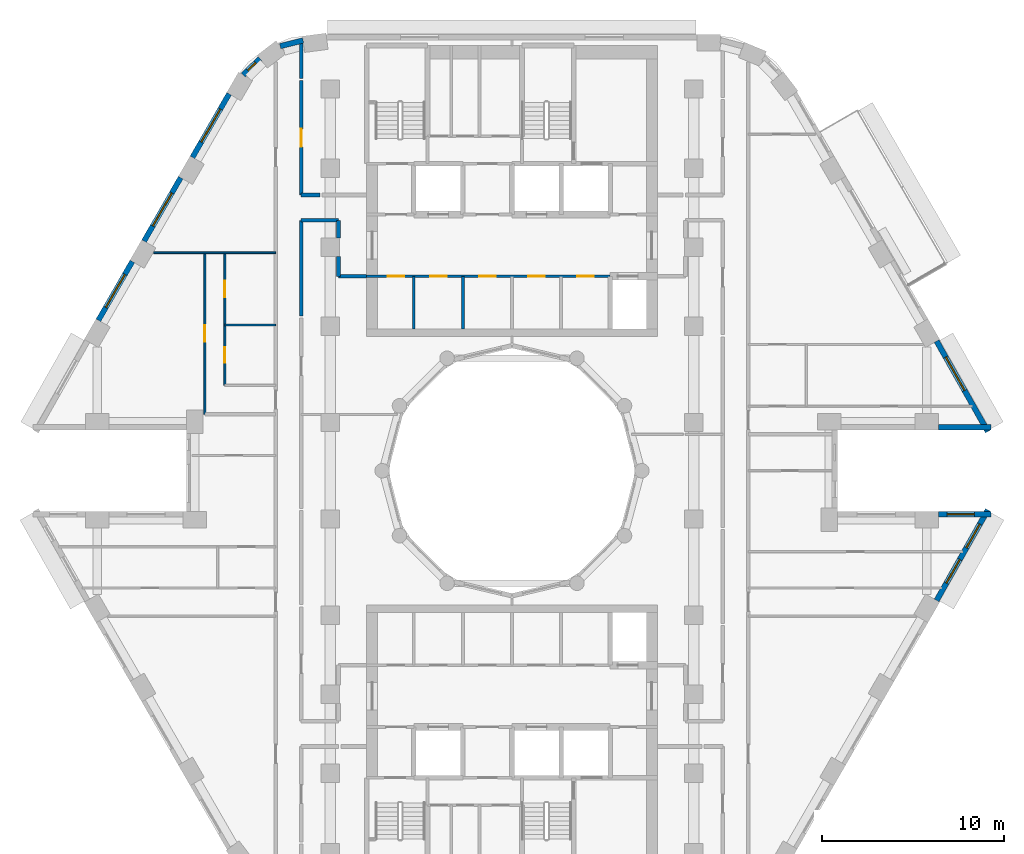
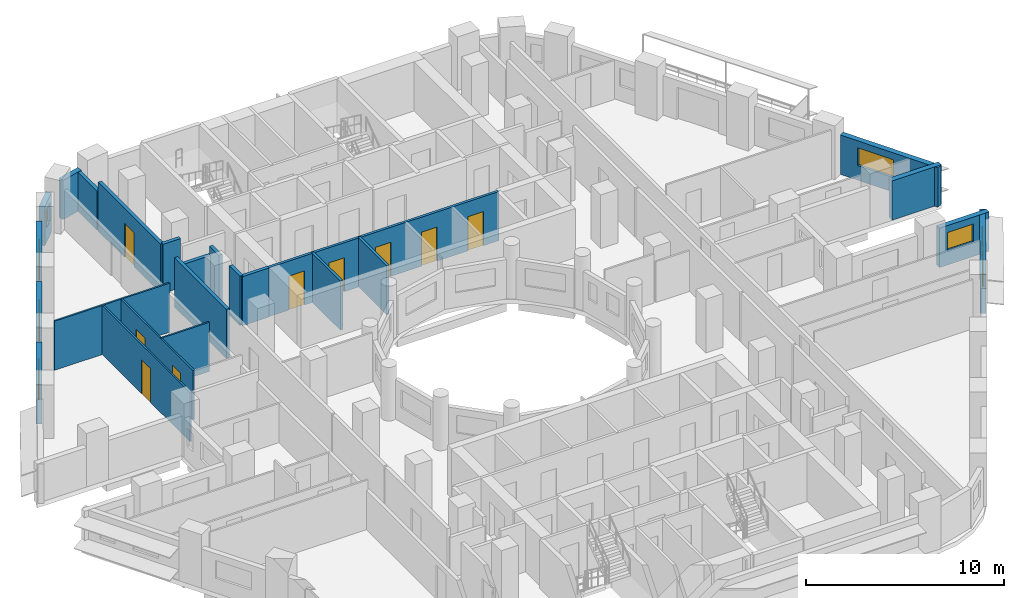
# One storey, part 7 of 14: 24 walls, 9 doors, 8 windows, 17 openings.
"""IFC4 building model written with IfcOpenShell, lengths in metres."""

from ifc_helpers import new_model, si_unit, direction, frame, frame_2d, origin, place, context, subcontext, project, spatial, rectangle, extrude, material, layer, layer_set, type_object, element, fill, save


model = new_model("IFC4")

# Units and contexts
model_context = context("Model", 3, precision=1e-05, world=origin(), true_north=direction((0.0, 1.0)))
body_context = subcontext(model_context, "Body", "Model", "MODEL_VIEW")
ifc_project = project(units=[si_unit("LENGTHUNIT", "METRE"), si_unit("AREAUNIT", "SQUARE_METRE"), si_unit("VOLUMEUNIT", "CUBIC_METRE"), si_unit("PLANEANGLEUNIT", "RADIAN"), si_unit("MASSUNIT", "GRAM", prefix="KILO")], contexts=[model_context])

# Site, building, storey
site_placement = place(None, origin())
site = spatial("IfcSite", under=ifc_project, at=site_placement, CompositionType="ELEMENT")
building_placement = place(site_placement, origin())
building = spatial("IfcBuilding", under=site, at=building_placement, Name="Nakaniwa Court", CompositionType="ELEMENT")
storey_placement = place(building_placement, frame((0.0, 0.0, 160.199951171875)))
storey = spatial("IfcBuildingStorey", under=building, at=storey_placement, Name="L42", CompositionType="ELEMENT", Elevation=160.199951171875)

# Walls
ifc_material_1 = material(Name="Acoustic double stud partition")
ifc_layer_1 = layer(ifc_material_1, 0.199951171875)
ifc_layer_set_1 = layer_set([ifc_layer_1], Name="Acoustic double stud partition")
wall_type_1 = type_object("IfcWallType", Name="Acoustic double stud partition 200", PredefinedType="PARTITIONING", material=ifc_layer_set_1)
wall_1_placement = place(storey_placement, frame((68.39990234375, 93.77490234375, 0.0), z_axis=(0.0, 0.0, 1.0), x_axis=(1.0, 0.0, 0.0)))
element("IfcWall", 1, at=wall_1_placement, inside=storey, type_object=wall_type_1, Name="Partition PW-094", PredefinedType="PARTITIONING", context=body_context, shape_type="SweptSolid", body=[
    extrude(rectangle(XDim=2.050048828125, YDim=0.199951171875, at=frame_2d((1.02490234375, 0.0))), origin(), (0.0, 0.0, 1.0), 2.505126953125),
])
wall_2_placement = place(storey_placement, frame((70.449951171875, 90.699951171875, 0.0), z_axis=(0.0, 0.0, 1.0), x_axis=(1.0, 0.0, 0.0)))
element("IfcWall", 2, at=wall_2_placement, inside=storey, type_object=wall_type_1, Name="Partition PW-096", PredefinedType="PARTITIONING", context=body_context, shape_type="SweptSolid", body=[
    extrude(rectangle(XDim=1.550048828125, YDim=0.199951171875, at=frame_2d((0.77490234375, 0.0))), origin(), (0.0, 0.0, 1.0), 3.025146484375),
])
wall_3_placement = place(storey_placement, frame((68.39990234375, 95.175048828125, 0.0), z_axis=(0.0, 0.0, 1.0), x_axis=(1.0, 0.0, 0.0)))
element("IfcWall", 3, at=wall_3_placement, inside=storey, type_object=wall_type_1, Name="Partition PW-098", PredefinedType="PARTITIONING", context=body_context, shape_type="SweptSolid", body=[
    extrude(rectangle(XDim=1.02294921875, YDim=0.199951171875, at=frame_2d((0.511474609375, 0.0))), origin(), (0.0, 0.0, 1.0), 3.025146484375),
])
wall_4_placement = place(storey_placement, frame((68.39990234375, 88.527099609375, 0.0), z_axis=(0.0, 0.0, 1.0), x_axis=(0.0, 1.0, 0.0)))
element("IfcWall", 4, at=wall_4_placement, inside=storey, type_object=wall_type_1, Name="Partition PW-107", PredefinedType="PARTITIONING", context=body_context, shape_type="SweptSolid", body=[
    extrude(rectangle(XDim=5.247802734375, YDim=0.199951171875, at=frame_2d((2.6240234375, 0.0))), origin(), (0.0, 0.0, 1.0), 3.025146484375),
])

# Wall, opening, door
wall_5_placement = place(storey_placement, frame((68.39990234375, 101.462890625, 0.0), z_axis=(0.0, 0.0, 1.0), x_axis=(0.0, -1.0, 0.0)))
wall_5 = element("IfcWall", 5, at=wall_5_placement, inside=storey, type_object=wall_type_1, Name="Partition PW-108", PredefinedType="PARTITIONING", context=body_context, shape_type="SweptSolid", body=[
    extrude(rectangle(XDim=6.287841796875, YDim=0.199951171875, at=frame_2d((3.14404296875, 0.0))), origin(), (0.0, 0.0, 1.0), 3.025146484375),
])
opening_1_placement = place(wall_5_placement, frame((2.64501953125, 0.0, 0.0)))
opening_1 = element("IfcOpeningElement", 6, at=opening_1_placement, cuts=wall_5, Name="Opening D-02-11", PredefinedType="OPENING", context=body_context, shape_type="SweptSolid", body=[
    extrude(rectangle(XDim=1.0, YDim=2.10009765625, at=frame_2d((0.5, 1.050048828125))), frame((0.0, 0.10986328125, 0.0), z_axis=(0.0, -1.0, 0.0), x_axis=(1.0, 0.0, 0.0)), (0.0, 0.0, 1.0), 0.219970703125),
])
ifc_material_2 = material(Name="Solid core timber door set, black veneer", Category="wood")
door_type_1 = type_object("IfcDoorType", Name="Internal door 1000", OperationType="NOTDEFINED", PredefinedType="DOOR", material=ifc_material_2)
door_1_placement = place(opening_1_placement, origin())
door_1 = element("IfcDoor", 7, at=door_1_placement, inside=storey, type_object=door_type_1, Name="Door D-02-11 L42-057", OperationType="SINGLE_SWING_RIGHT", OverallHeight=2.10009765625, OverallWidth=1.0, PredefinedType="DOOR", context=body_context, shape_type="SweptSolid", body=[
    extrude(rectangle(XDim=1.0, YDim=2.10009765625, at=frame_2d((0.5, 1.050048828125))), frame((0.0, 0.02490234375, 0.0), z_axis=(0.0, -1.0, 0.0), x_axis=(1.0, 0.0, 0.0)), (0.0, 0.0, 1.0), 0.050048828125),
])
fill(opening_1, door_1)

# Walls
wall_6_placement = place(storey_placement, frame((68.39990234375, 101.5771484375, 0.0), z_axis=(0.0, 0.0, 1.0), x_axis=(0.0, 1.0, 0.0)))
element("IfcWall", 8, at=wall_6_placement, inside=storey, type_object=wall_type_1, Name="Partition PW-109", PredefinedType="PARTITIONING", context=body_context, shape_type="SweptSolid", body=[
    extrude(rectangle(XDim=2.02197265625, YDim=0.199951171875, at=frame_2d((1.010986328125, 0.0))), origin(), (0.0, 0.0, 1.0), 2.405029296875),
])
wall_7_placement = place(storey_placement, frame((70.449951171875, 90.699951171875, 0.0), z_axis=(0.0, 0.0, 1.0), x_axis=(0.0, 1.0, 0.0)))
element("IfcWall", 9, at=wall_7_placement, inside=storey, type_object=wall_type_1, Name="Partition PW-113", PredefinedType="PARTITIONING", context=body_context, shape_type="SweptSolid", body=[
    extrude(rectangle(XDim=1.082763671875, YDim=0.199951171875, at=frame_2d((0.54150390625, 0.0))), origin(), (0.0, 0.0, 1.0), 3.025146484375),
])
wall_8_placement = place(storey_placement, frame((70.449951171875, 92.817138671875, 0.0), z_axis=(0.0, 0.0, 1.0), x_axis=(0.0, 1.0, 0.0)))
element("IfcWall", 10, at=wall_8_placement, inside=storey, type_object=wall_type_1, Name="Partition PW-114", PredefinedType="PARTITIONING", context=body_context, shape_type="SweptSolid", body=[
    extrude(rectangle(XDim=0.957763671875, YDim=0.199951171875, at=frame_2d((0.47900390625, 0.0))), origin(), (0.0, 0.0, 1.0), 3.025146484375),
])
ifc_material_3 = material(Name="Charcoal ceramic cladding")
ifc_layer_2 = layer(ifc_material_3, 0.02, Name="Ceramic cladding")
ifc_material_4 = material(Name="Ventilated air cavity")
ifc_layer_3 = layer(ifc_material_4, 0.04, ventilated=True, Name="Ventilated cavity")
ifc_material_5 = material(Name="Mineral wool insulation")
ifc_layer_4 = layer(ifc_material_5, 0.1, Name="Insulation")
ifc_material_6 = material(Name="Cement bonded sheathing board")
ifc_layer_5 = layer(ifc_material_6, 0.012, Name="Sheathing")
ifc_material_7 = material(Name="Cold-formed galvanised stud frame with mineral wool infill")
ifc_layer_6 = layer(ifc_material_7, 0.1, Name="Stud frame")
ifc_material_8 = material(Name="Fire-rated gypsum plasterboard lining")
ifc_layer_7 = layer(ifc_material_8, 0.028, Name="Lining")
ifc_layer_set_2 = layer_set([ifc_layer_2, ifc_layer_3, ifc_layer_4, ifc_layer_5, ifc_layer_6, ifc_layer_7], Name="Charcoal ceramic faced external wall system")
wall_type_2 = type_object("IfcWallType", Name="Black ceramic faced external wall 300", PredefinedType="SOLIDWALL", material=ifc_layer_set_2)
wall_9_placement = place(storey_placement, frame((103.468994140625, 82.39990234375, 0.0), z_axis=(0.0, 0.0, 1.0), x_axis=(1.0, 0.0, 0.0)))
element("IfcWall", 11, at=wall_9_placement, inside=storey, type_object=wall_type_2, Name="L42 external wall 01", PredefinedType="SOLIDWALL", context=body_context, shape_type="SweptSolid", body=[
    extrude(rectangle(XDim=2.8876953125, YDim=0.300048828125, at=frame_2d((1.44384765625, 0.0))), origin(), (0.0, 0.0, 1.0), 2.425048828125),
])

# Wall, opening, window
wall_10_placement = place(storey_placement, frame((106.18603515625, 82.1533203125, 0.0), z_axis=(0.0, 0.0, 1.0), x_axis=(-0.492498306264, 0.87031340236, 0.0)))
wall_10 = element("IfcWall", 12, at=wall_10_placement, inside=storey, type_object=wall_type_2, Name="L42 external wall 02", PredefinedType="SOLIDWALL", context=body_context, shape_type="SweptSolid", body=[
    extrude(rectangle(XDim=5.7265625, YDim=0.300048828125, at=frame_2d((2.86328125, 0.0))), origin(), (0.0, 0.0, 1.0), 2.425048828125),
])
opening_2_placement = place(wall_10_placement, frame((2.604248046875, 0.0, 0.89990234375)))
opening_2 = element("IfcOpeningElement", 13, at=opening_2_placement, cuts=wall_10, Name="Opening W7.01", PredefinedType="OPENING", context=body_context, shape_type="SweptSolid", body=[
    extrude(rectangle(XDim=2.10009765625, YDim=1.10009765625, at=frame_2d((1.050048828125, 0.550048828125))), frame((0.0, 0.159912109375, 0.0), z_axis=(0.0, -1.0, 0.0), x_axis=(1.0, 0.0, 0.0)), (0.0, 0.0, 1.0), 0.320068359375),
])
ifc_material_9 = material(Name="Black anodised aluminium frame with dark low-E laminated double glazing", Category="aluminium")
window_type_1 = type_object("IfcWindowType", Name="Dark glass window 2100x1100 sill 900", PartitioningType="SINGLE_PANEL", PredefinedType="WINDOW", material=ifc_material_9)
window_1_placement = place(opening_2_placement, origin())
window_1 = element("IfcWindow", 14, at=window_1_placement, inside=storey, type_object=window_type_1, Name="L42 habitable room window 02-1", OverallHeight=1.10009765625, OverallWidth=2.10009765625, PartitioningType="SINGLE_PANEL", PredefinedType="WINDOW", context=body_context, shape_type="SweptSolid", body=[
    extrude(rectangle(XDim=2.10009765625, YDim=1.10009765625, at=frame_2d((1.050048828125, 0.550048828125))), frame((0.0, 0.030029296875, 0.0), z_axis=(0.0, -1.0, 0.0), x_axis=(1.0, 0.0, 0.0)), (0.0, 0.0, 1.0), 0.06005859375),
])
fill(opening_2, window_1)

# Wall
wall_11_placement = place(storey_placement, frame((68.506103515625, 103.68310546875, 0.0), z_axis=(0.0, 0.0, 1.0), x_axis=(-0.96924493129, -0.246098076322, 0.0)))
element("IfcWall", 15, at=wall_11_placement, inside=storey, type_object=wall_type_2, Name="L42 external wall 09", PredefinedType="SOLIDWALL", context=body_context, shape_type="SweptSolid", body=[
    extrude(rectangle(XDim=1.305419921875, YDim=0.300048828125, at=frame_2d((0.65283203125, 0.0))), origin(), (0.0, 0.0, 1.0), 2.425048828125),
])

# Wall, opening, window
wall_12_placement = place(storey_placement, frame((66.12890625, 102.68798828125, 0.0), z_axis=(0.0, 0.0, 1.0), x_axis=(-0.70881270082, -0.705396735997, 0.0)))
wall_12 = element("IfcWall", 16, at=wall_12_placement, inside=storey, type_object=wall_type_2, Name="L42 external wall 10", PredefinedType="SOLIDWALL", context=body_context, shape_type="SweptSolid", body=[
    extrude(rectangle(XDim=1.286376953125, YDim=0.300048828125, at=frame_2d((0.64306640625, 0.0))), origin(), (0.0, 0.0, 1.0), 2.425048828125),
])
opening_3_placement = place(wall_12_placement, frame((0.3330078125, 0.0, 0.89990234375)))
opening_3 = element("IfcOpeningElement", 17, at=opening_3_placement, cuts=wall_12, Name="Opening W8.08", PredefinedType="OPENING", context=body_context, shape_type="SweptSolid", body=[
    extrude(rectangle(XDim=0.60009765625, YDim=1.10009765625, at=frame_2d((0.300048828125, 0.550048828125))), frame((0.0, 0.159912109375, 0.0), z_axis=(0.0, -1.0, 0.0), x_axis=(1.0, 0.0, 0.0)), (0.0, 0.0, 1.0), 0.320068359375),
])
window_type_2 = type_object("IfcWindowType", Name="Dark glass window 600x1100 sill 900", PartitioningType="SINGLE_PANEL", PredefinedType="WINDOW", material=ifc_material_9)
window_2_placement = place(opening_3_placement, origin())
window_2 = element("IfcWindow", 18, at=window_2_placement, inside=storey, type_object=window_type_2, Name="L42 habitable room window 10-0", OverallHeight=1.10009765625, OverallWidth=0.60009765625, PartitioningType="SINGLE_PANEL", PredefinedType="WINDOW", context=body_context, shape_type="SweptSolid", body=[
    extrude(rectangle(XDim=0.60009765625, YDim=1.10009765625, at=frame_2d((0.300048828125, 0.550048828125))), frame((0.0, 0.030029296875, 0.0), z_axis=(0.0, -1.0, 0.0), x_axis=(1.0, 0.0, 0.0)), (0.0, 0.0, 1.0), 0.06005859375),
])
fill(opening_3, window_2)

wall_13_placement = place(storey_placement, frame((64.434814453125, 100.739990234375, 0.0), z_axis=(0.0, 0.0, 1.0), x_axis=(-0.500031546601, -0.86600718958, 0.0)))
wall_13 = element("IfcWall", 19, at=wall_13_placement, inside=storey, type_object=wall_type_2, Name="L42 external wall 11", PredefinedType="SOLIDWALL", context=body_context, shape_type="SweptSolid", body=[
    extrude(rectangle(XDim=4.033935546875, YDim=0.300048828125, at=frame_2d((2.01708984375, 0.0))), origin(), (0.0, 0.0, 1.0), 2.425048828125),
])
opening_4_placement = place(wall_13_placement, frame((0.967041015625, 0.0, 0.89990234375)))
opening_4 = element("IfcOpeningElement", 20, at=opening_4_placement, cuts=wall_13, Name="Opening W7.09", PredefinedType="OPENING", context=body_context, shape_type="SweptSolid", body=[
    extrude(rectangle(XDim=2.10009765625, YDim=1.10009765625, at=frame_2d((1.050048828125, 0.550048828125))), frame((0.0, 0.159912109375, 0.0), z_axis=(0.0, -1.0, 0.0), x_axis=(1.0, 0.0, 0.0)), (0.0, 0.0, 1.0), 0.320068359375),
])
window_3_placement = place(opening_4_placement, origin())
window_3 = element("IfcWindow", 21, at=window_3_placement, inside=storey, type_object=window_type_1, Name="L42 habitable room window 11-0", OverallHeight=1.10009765625, OverallWidth=2.10009765625, PartitioningType="SINGLE_PANEL", PredefinedType="WINDOW", context=body_context, shape_type="SweptSolid", body=[
    extrude(rectangle(XDim=2.10009765625, YDim=1.10009765625, at=frame_2d((1.050048828125, 0.550048828125))), frame((0.0, 0.030029296875, 0.0), z_axis=(0.0, -1.0, 0.0), x_axis=(1.0, 0.0, 0.0)), (0.0, 0.0, 1.0), 0.06005859375),
])
fill(opening_4, window_3)

wall_14_placement = place(storey_placement, frame((61.771728515625, 96.127685546875, 0.0), z_axis=(0.0, 0.0, 1.0), x_axis=(-0.500031546601, -0.86600718958, 0.0)))
wall_14 = element("IfcWall", 22, at=wall_14_placement, inside=storey, type_object=wall_type_2, Name="L42 external wall 12", PredefinedType="SOLIDWALL", context=body_context, shape_type="SweptSolid", body=[
    extrude(rectangle(XDim=4.033935546875, YDim=0.300048828125, at=frame_2d((2.01708984375, 0.0))), origin(), (0.0, 0.0, 1.0), 2.425048828125),
])
opening_5_placement = place(wall_14_placement, frame((0.966796875, 0.0, 0.89990234375)))
opening_5 = element("IfcOpeningElement", 23, at=opening_5_placement, cuts=wall_14, Name="Opening W7.10", PredefinedType="OPENING", context=body_context, shape_type="SweptSolid", body=[
    extrude(rectangle(XDim=2.10009765625, YDim=1.10009765625, at=frame_2d((1.050048828125, 0.550048828125))), frame((0.0, 0.159912109375, 0.0), z_axis=(0.0, -1.0, 0.0), x_axis=(1.0, 0.0, 0.0)), (0.0, 0.0, 1.0), 0.320068359375),
])
window_4_placement = place(opening_5_placement, origin())
window_4 = element("IfcWindow", 24, at=window_4_placement, inside=storey, type_object=window_type_1, Name="L42 habitable room window 12-0", OverallHeight=1.10009765625, OverallWidth=2.10009765625, PartitioningType="SINGLE_PANEL", PredefinedType="WINDOW", context=body_context, shape_type="SweptSolid", body=[
    extrude(rectangle(XDim=2.10009765625, YDim=1.10009765625, at=frame_2d((1.050048828125, 0.550048828125))), frame((0.0, 0.030029296875, 0.0), z_axis=(0.0, -1.0, 0.0), x_axis=(1.0, 0.0, 0.0)), (0.0, 0.0, 1.0), 0.06005859375),
])
fill(opening_5, window_4)

wall_15_placement = place(storey_placement, frame((59.108642578125, 91.515380859375, 0.0), z_axis=(0.0, 0.0, 1.0), x_axis=(-0.499933594891, -0.866063739398, 0.0)))
wall_15 = element("IfcWall", 25, at=wall_15_placement, inside=storey, type_object=wall_type_2, Name="L42 external wall 13", PredefinedType="SOLIDWALL", context=body_context, shape_type="SweptSolid", body=[
    extrude(rectangle(XDim=3.73681640625, YDim=0.300048828125, at=frame_2d((1.868408203125, 0.0))), origin(), (0.0, 0.0, 1.0), 2.425048828125),
])
opening_6_placement = place(wall_15_placement, frame((0.818359375, 0.0, 0.89990234375)))
opening_6 = element("IfcOpeningElement", 26, at=opening_6_placement, cuts=wall_15, Name="Opening W7.11", PredefinedType="OPENING", context=body_context, shape_type="SweptSolid", body=[
    extrude(rectangle(XDim=2.10009765625, YDim=1.10009765625, at=frame_2d((1.050048828125, 0.550048828125))), frame((0.0, 0.159912109375, 0.0), z_axis=(0.0, -1.0, 0.0), x_axis=(1.0, 0.0, 0.0)), (0.0, 0.0, 1.0), 0.320068359375),
])
window_5_placement = place(opening_6_placement, origin())
window_5 = element("IfcWindow", 27, at=window_5_placement, inside=storey, type_object=window_type_1, Name="L42 living window 13-0", OverallHeight=1.10009765625, OverallWidth=2.10009765625, PartitioningType="SINGLE_PANEL", PredefinedType="WINDOW", context=body_context, shape_type="SweptSolid", body=[
    extrude(rectangle(XDim=2.10009765625, YDim=1.10009765625, at=frame_2d((1.050048828125, 0.550048828125))), frame((0.0, 0.030029296875, 0.0), z_axis=(0.0, -1.0, 0.0), x_axis=(1.0, 0.0, 0.0)), (0.0, 0.0, 1.0), 0.06005859375),
])
fill(opening_6, window_5)

# Wall, openings, windows
wall_16_placement = place(storey_placement, frame((103.36572265625, 72.86279296875, 0.0), z_axis=(0.0, 0.0, 1.0), x_axis=(0.492498306264, 0.87031340236, 0.0)))
wall_16 = element("IfcWall", 28, at=wall_16_placement, inside=storey, type_object=wall_type_2, Name="L42 external wall 32", PredefinedType="SOLIDWALL", context=body_context, shape_type="SweptSolid", body=[
    extrude(rectangle(XDim=5.7265625, YDim=0.300048828125, at=frame_2d((2.86328125, 0.0))), origin(), (0.0, 0.0, 1.0), 2.425048828125),
])
opening_7_placement = place(wall_16_placement, frame((1.093017578125, 0.0, 0.89990234375)))
opening_7 = element("IfcOpeningElement", 29, at=opening_7_placement, cuts=wall_16, Name="Opening W5.29", PredefinedType="OPENING", context=body_context, shape_type="SweptSolid", body=[
    extrude(rectangle(XDim=1.5, YDim=1.10009765625, at=frame_2d((0.75, 0.550048828125))), frame((0.0, 0.159912109375, 0.0), z_axis=(0.0, -1.0, 0.0), x_axis=(1.0, 0.0, 0.0)), (0.0, 0.0, 1.0), 0.320068359375),
])
opening_8_placement = place(wall_16_placement, frame((3.333740234375, 0.0, 0.89990234375)))
opening_8 = element("IfcOpeningElement", 30, at=opening_8_placement, cuts=wall_16, Name="Opening W5.30", PredefinedType="OPENING", context=body_context, shape_type="SweptSolid", body=[
    extrude(rectangle(XDim=1.5, YDim=1.10009765625, at=frame_2d((0.75, 0.550048828125))), frame((0.0, 0.159912109375, 0.0), z_axis=(0.0, -1.0, 0.0), x_axis=(1.0, 0.0, 0.0)), (0.0, 0.0, 1.0), 0.320068359375),
])
window_type_3 = type_object("IfcWindowType", Name="Dark glass window 1500x1100 sill 900", PartitioningType="SINGLE_PANEL", PredefinedType="WINDOW", material=ifc_material_9)
window_6_placement = place(opening_7_placement, origin())
window_6 = element("IfcWindow", 31, at=window_6_placement, inside=storey, type_object=window_type_3, Name="L42 habitable room window 32-1", OverallHeight=1.10009765625, OverallWidth=1.5, PartitioningType="SINGLE_PANEL", PredefinedType="WINDOW", context=body_context, shape_type="SweptSolid", body=[
    extrude(rectangle(XDim=1.5, YDim=1.10009765625, at=frame_2d((0.75, 0.550048828125))), frame((0.0, 0.030029296875, 0.0), z_axis=(0.0, -1.0, 0.0), x_axis=(1.0, 0.0, 0.0)), (0.0, 0.0, 1.0), 0.06005859375),
])
fill(opening_7, window_6)
window_7_placement = place(opening_8_placement, origin())
window_7 = element("IfcWindow", 32, at=window_7_placement, inside=storey, type_object=window_type_3, Name="L42 living window 32-2", OverallHeight=1.10009765625, OverallWidth=1.5, PartitioningType="SINGLE_PANEL", PredefinedType="WINDOW", context=body_context, shape_type="SweptSolid", body=[
    extrude(rectangle(XDim=1.5, YDim=1.10009765625, at=frame_2d((0.75, 0.550048828125))), frame((0.0, 0.030029296875, 0.0), z_axis=(0.0, -1.0, 0.0), x_axis=(1.0, 0.0, 0.0)), (0.0, 0.0, 1.0), 0.06005859375),
])
fill(opening_8, window_7)

# Wall, opening, window
wall_17_placement = place(storey_placement, frame((106.356689453125, 77.60009765625, 0.0), z_axis=(0.0, 0.0, 1.0), x_axis=(-1.0, 0.0, 0.0)))
wall_17 = element("IfcWall", 33, at=wall_17_placement, inside=storey, type_object=wall_type_2, Name="L42 external wall 33", PredefinedType="SOLIDWALL", context=body_context, shape_type="SweptSolid", body=[
    extrude(rectangle(XDim=2.8876953125, YDim=0.300048828125, at=frame_2d((1.44384765625, 0.0))), origin(), (0.0, 0.0, 1.0), 2.425048828125),
])
opening_9_placement = place(wall_17_placement, frame((0.9189453125, 0.0, 0.89990234375)))
opening_9 = element("IfcOpeningElement", 34, at=opening_9_placement, cuts=wall_17, Name="Opening W5.31", PredefinedType="OPENING", context=body_context, shape_type="SweptSolid", body=[
    extrude(rectangle(XDim=1.5, YDim=1.10009765625, at=frame_2d((0.75, 0.550048828125))), frame((0.0, 0.159912109375, 0.0), z_axis=(0.0, -1.0, 0.0), x_axis=(1.0, 0.0, 0.0)), (0.0, 0.0, 1.0), 0.320068359375),
])
window_8_placement = place(opening_9_placement, origin())
window_8 = element("IfcWindow", 35, at=window_8_placement, inside=storey, type_object=window_type_3, Name="L42 living window 33-0", OverallHeight=1.10009765625, OverallWidth=1.5, PartitioningType="SINGLE_PANEL", PredefinedType="WINDOW", context=body_context, shape_type="SweptSolid", body=[
    extrude(rectangle(XDim=1.5, YDim=1.10009765625, at=frame_2d((0.75, 0.550048828125))), frame((0.0, 0.030029296875, 0.0), z_axis=(0.0, -1.0, 0.0), x_axis=(1.0, 0.0, 0.0)), (0.0, 0.0, 1.0), 0.06005859375),
])
fill(opening_9, window_8)

# Wall
ifc_material_10 = material(Name="Blockwork partition", Category="masonry")
ifc_layer_8 = layer(ifc_material_10, 0.14990234375)
ifc_layer_set_3 = layer_set([ifc_layer_8], Name="Blockwork partition")
wall_type_3 = type_object("IfcWallType", Name="Blockwork partition 150", PredefinedType="PARTITIONING", material=ifc_layer_set_3)
wall_18_placement = place(storey_placement, frame((74.60009765625, 87.800048828125, 0.0), z_axis=(0.0, 0.0, 1.0), x_axis=(0.0, 1.0, 0.0)))
element("IfcWall", 36, at=wall_18_placement, inside=storey, type_object=wall_type_3, Name="Partition PW-001", PredefinedType="PARTITIONING", context=body_context, shape_type="SweptSolid", body=[
    extrude(rectangle(XDim=2.89990234375, YDim=0.14990234375, at=frame_2d((1.449951171875, 0.0))), origin(), (0.0, 0.0, 1.0), 3.025146484375),
])

# Wall, openings, doors
wall_19_placement = place(storey_placement, frame((85.39990234375, 90.699951171875, 0.0), z_axis=(0.0, 0.0, 1.0), x_axis=(-1.0, 0.0, 0.0)))
wall_19 = element("IfcWall", 37, at=wall_19_placement, inside=storey, type_object=wall_type_3, Name="Partition PW-002", PredefinedType="PARTITIONING", context=body_context, shape_type="SweptSolid", body=[
    extrude(rectangle(XDim=13.39990234375, YDim=0.14990234375, at=frame_2d((6.699951171875, 0.0))), origin(), (0.0, 0.0, 1.0), 3.025146484375),
])
opening_10_placement = place(wall_19_placement, frame((11.324951171875, 0.0, 0.0)))
opening_10 = element("IfcOpeningElement", 38, at=opening_10_placement, cuts=wall_19, Name="Opening D-05-01", PredefinedType="OPENING", context=body_context, shape_type="SweptSolid", body=[
    extrude(rectangle(XDim=0.89990234375, YDim=2.10009765625, at=frame_2d((0.449951171875, 1.050048828125))), frame((0.0, 0.0849609375, 0.0), z_axis=(0.0, -1.0, 0.0), x_axis=(1.0, 0.0, 0.0)), (0.0, 0.0, 1.0), 0.169921875),
])
opening_11_placement = place(wall_19_placement, frame((9.0, 0.0, 0.0)))
opening_11 = element("IfcOpeningElement", 39, at=opening_11_placement, cuts=wall_19, Name="Opening D-05-02", PredefinedType="OPENING", context=body_context, shape_type="SweptSolid", body=[
    extrude(rectangle(XDim=0.89990234375, YDim=2.10009765625, at=frame_2d((0.449951171875, 1.050048828125))), frame((0.0, 0.0849609375, 0.0), z_axis=(0.0, -1.0, 0.0), x_axis=(1.0, 0.0, 0.0)), (0.0, 0.0, 1.0), 0.169921875),
])
opening_12_placement = place(wall_19_placement, frame((6.300048828125, 0.0, 0.0)))
opening_12 = element("IfcOpeningElement", 40, at=opening_12_placement, cuts=wall_19, Name="Opening D-05-03", PredefinedType="OPENING", context=body_context, shape_type="SweptSolid", body=[
    extrude(rectangle(XDim=0.89990234375, YDim=2.10009765625, at=frame_2d((0.449951171875, 1.050048828125))), frame((0.0, 0.0849609375, 0.0), z_axis=(0.0, -1.0, 0.0), x_axis=(1.0, 0.0, 0.0)), (0.0, 0.0, 1.0), 0.169921875),
])
opening_13_placement = place(wall_19_placement, frame((3.60009765625, 0.0, 0.0)))
opening_13 = element("IfcOpeningElement", 41, at=opening_13_placement, cuts=wall_19, Name="Opening D-05-04", PredefinedType="OPENING", context=body_context, shape_type="SweptSolid", body=[
    extrude(rectangle(XDim=0.89990234375, YDim=2.10009765625, at=frame_2d((0.449951171875, 1.050048828125))), frame((0.0, 0.0849609375, 0.0), z_axis=(0.0, -1.0, 0.0), x_axis=(1.0, 0.0, 0.0)), (0.0, 0.0, 1.0), 0.169921875),
])
opening_14_placement = place(wall_19_placement, frame((0.89990234375, 0.0, 0.0)))
opening_14 = element("IfcOpeningElement", 42, at=opening_14_placement, cuts=wall_19, Name="Opening D-05-05", PredefinedType="OPENING", context=body_context, shape_type="SweptSolid", body=[
    extrude(rectangle(XDim=0.89990234375, YDim=2.10009765625, at=frame_2d((0.449951171875, 1.050048828125))), frame((0.0, 0.0849609375, 0.0), z_axis=(0.0, -1.0, 0.0), x_axis=(1.0, 0.0, 0.0)), (0.0, 0.0, 1.0), 0.169921875),
])
ifc_material_11 = material(Name="Fire rated steel door set", Category="steel")
door_type_2 = type_object("IfcDoorType", Name="Service room door 900", OperationType="NOTDEFINED", PredefinedType="DOOR", material=ifc_material_11)
door_2_placement = place(opening_10_placement, origin())
door_2 = element("IfcDoor", 43, at=door_2_placement, inside=storey, type_object=door_type_2, Name="Door D-05-01 L42-001", OperationType="SINGLE_SWING_RIGHT", OverallHeight=2.10009765625, OverallWidth=0.89990234375, PredefinedType="DOOR", context=body_context, shape_type="SweptSolid", body=[
    extrude(rectangle(XDim=0.89990234375, YDim=2.10009765625, at=frame_2d((0.449951171875, 1.050048828125))), frame((0.0, 0.02490234375, 0.0), z_axis=(0.0, -1.0, 0.0), x_axis=(1.0, 0.0, 0.0)), (0.0, 0.0, 1.0), 0.050048828125),
])
fill(opening_10, door_2)
door_3_placement = place(opening_11_placement, origin())
door_3 = element("IfcDoor", 44, at=door_3_placement, inside=storey, type_object=door_type_2, Name="Door D-05-02 L42-002", OperationType="SINGLE_SWING_LEFT", OverallHeight=2.10009765625, OverallWidth=0.89990234375, PredefinedType="DOOR", context=body_context, shape_type="SweptSolid", body=[
    extrude(rectangle(XDim=0.89990234375, YDim=2.10009765625, at=frame_2d((0.449951171875, 1.050048828125))), frame((0.0, 0.02490234375, 0.0), z_axis=(0.0, -1.0, 0.0), x_axis=(1.0, 0.0, 0.0)), (0.0, 0.0, 1.0), 0.050048828125),
])
fill(opening_11, door_3)
door_4_placement = place(opening_12_placement, origin())
door_4 = element("IfcDoor", 45, at=door_4_placement, inside=storey, type_object=door_type_2, Name="Door D-05-03 L42-003", OperationType="SINGLE_SWING_RIGHT", OverallHeight=2.10009765625, OverallWidth=0.89990234375, PredefinedType="DOOR", context=body_context, shape_type="SweptSolid", body=[
    extrude(rectangle(XDim=0.89990234375, YDim=2.10009765625, at=frame_2d((0.449951171875, 1.050048828125))), frame((0.0, 0.02490234375, 0.0), z_axis=(0.0, -1.0, 0.0), x_axis=(1.0, 0.0, 0.0)), (0.0, 0.0, 1.0), 0.050048828125),
])
fill(opening_12, door_4)
door_5_placement = place(opening_13_placement, origin())
door_5 = element("IfcDoor", 46, at=door_5_placement, inside=storey, type_object=door_type_2, Name="Door D-05-04 L42-004", OperationType="SINGLE_SWING_LEFT", OverallHeight=2.10009765625, OverallWidth=0.89990234375, PredefinedType="DOOR", context=body_context, shape_type="SweptSolid", body=[
    extrude(rectangle(XDim=0.89990234375, YDim=2.10009765625, at=frame_2d((0.449951171875, 1.050048828125))), frame((0.0, 0.02490234375, 0.0), z_axis=(0.0, -1.0, 0.0), x_axis=(1.0, 0.0, 0.0)), (0.0, 0.0, 1.0), 0.050048828125),
])
fill(opening_13, door_5)
door_6_placement = place(opening_14_placement, origin())
door_6 = element("IfcDoor", 47, at=door_6_placement, inside=storey, type_object=door_type_2, Name="Door D-05-05 L42-005", OperationType="SINGLE_SWING_RIGHT", OverallHeight=2.10009765625, OverallWidth=0.89990234375, PredefinedType="DOOR", context=body_context, shape_type="SweptSolid", body=[
    extrude(rectangle(XDim=0.89990234375, YDim=2.10009765625, at=frame_2d((0.449951171875, 1.050048828125))), frame((0.0, 0.02490234375, 0.0), z_axis=(0.0, -1.0, 0.0), x_axis=(1.0, 0.0, 0.0)), (0.0, 0.0, 1.0), 0.050048828125),
])
fill(opening_14, door_6)

# Walls
wall_20_placement = place(storey_placement, frame((77.300048828125, 87.800048828125, 0.0), z_axis=(0.0, 0.0, 1.0), x_axis=(0.0, 1.0, 0.0)))
element("IfcWall", 48, at=wall_20_placement, inside=storey, type_object=wall_type_3, Name="Partition PW-008", PredefinedType="PARTITIONING", context=body_context, shape_type="SweptSolid", body=[
    extrude(rectangle(XDim=2.89990234375, YDim=0.14990234375, at=frame_2d((1.449951171875, 0.0))), origin(), (0.0, 0.0, 1.0), 3.025146484375),
])
ifc_material_12 = material(Name="Single stud plasterboard partition")
ifc_layer_9 = layer(ifc_material_12, 0.10009765625)
ifc_layer_set_4 = layer_set([ifc_layer_9], Name="Single stud plasterboard partition")
wall_type_4 = type_object("IfcWallType", Name="Single stud plasterboard partition 100", PredefinedType="PARTITIONING", material=ifc_layer_set_4)
wall_21_placement = place(storey_placement, frame((64.198974609375, 88.01806640625, 0.0), z_axis=(0.0, 0.0, 1.0), x_axis=(1.0, 0.0, 0.0)))
element("IfcWall", 49, at=wall_21_placement, inside=storey, type_object=wall_type_4, Name="Partition PW-138", PredefinedType="PARTITIONING", context=body_context, shape_type="SweptSolid", body=[
    extrude(rectangle(XDim=2.800048828125, YDim=0.10009765625, at=frame_2d((1.39990234375, 0.0))), origin(), (0.0, 0.0, 1.0), 3.025146484375),
])

# Wall, openings, doors
wall_22_placement = place(storey_placement, frame((64.198974609375, 92.0, 0.0), z_axis=(0.0, 0.0, 1.0), x_axis=(0.0, -1.0, 0.0)))
wall_22 = element("IfcWall", 50, at=wall_22_placement, inside=storey, type_object=wall_type_4, Name="Partition PW-139", PredefinedType="PARTITIONING", context=body_context, shape_type="SweptSolid", body=[
    extrude(rectangle(XDim=7.300048828125, YDim=0.10009765625, at=frame_2d((3.64990234375, 0.0))), origin(), (0.0, 0.0, 1.0), 3.025146484375),
])
opening_15_placement = place(wall_22_placement, frame((5.216064453125, 0.0, 0.0)))
opening_15 = element("IfcOpeningElement", 51, at=opening_15_placement, cuts=wall_22, Name="Opening D-03-04", PredefinedType="OPENING", context=body_context, shape_type="SweptSolid", body=[
    extrude(rectangle(XDim=0.85009765625, YDim=2.10009765625, at=frame_2d((0.425048828125, 1.050048828125))), frame((0.0, 0.06005859375, 0.0), z_axis=(0.0, -1.0, 0.0), x_axis=(1.0, 0.0, 0.0)), (0.0, 0.0, 1.0), 0.1201171875),
])
opening_16_placement = place(wall_22_placement, frame((1.541015625, 0.0, 0.0)))
opening_16 = element("IfcOpeningElement", 52, at=opening_16_placement, cuts=wall_22, Name="Opening D-33-09", PredefinedType="OPENING", context=body_context, shape_type="SweptSolid", body=[
    extrude(rectangle(XDim=0.89990234375, YDim=2.10009765625, at=frame_2d((0.449951171875, 1.050048828125))), frame((0.0, 0.06005859375, 0.0), z_axis=(0.0, -1.0, 0.0), x_axis=(1.0, 0.0, 0.0)), (0.0, 0.0, 1.0), 0.1201171875),
])
ifc_material_13 = material(Name="Moisture sealed timber door set", Category="wood")
door_type_3 = type_object("IfcDoorType", Name="Bathroom door 850", OperationType="NOTDEFINED", PredefinedType="DOOR", material=ifc_material_13)
door_7_placement = place(opening_15_placement, origin())
door_7 = element("IfcDoor", 53, at=door_7_placement, inside=storey, type_object=door_type_3, Name="Door D-03-04 L42-050", OperationType="SINGLE_SWING_LEFT", OverallHeight=2.10009765625, OverallWidth=0.85009765625, PredefinedType="DOOR", context=body_context, shape_type="SweptSolid", body=[
    extrude(rectangle(XDim=0.85009765625, YDim=2.10009765625, at=frame_2d((0.425048828125, 1.050048828125))), frame((0.0, 0.02490234375, 0.0), z_axis=(0.0, -1.0, 0.0), x_axis=(1.0, 0.0, 0.0)), (0.0, 0.0, 1.0), 0.050048828125),
])
fill(opening_15, door_7)
door_type_4 = type_object("IfcDoorType", Name="Internal door 900", OperationType="NOTDEFINED", PredefinedType="DOOR", material=ifc_material_2)
door_8_placement = place(opening_16_placement, origin())
door_8 = element("IfcDoor", 54, at=door_8_placement, inside=storey, type_object=door_type_4, Name="Door D-33-09 L42-051", OperationType="SINGLE_SWING_RIGHT", OverallHeight=2.10009765625, OverallWidth=0.89990234375, PredefinedType="DOOR", context=body_context, shape_type="SweptSolid", body=[
    extrude(rectangle(XDim=0.89990234375, YDim=2.10009765625, at=frame_2d((0.449951171875, 1.050048828125))), frame((0.0, 0.02490234375, 0.0), z_axis=(0.0, -1.0, 0.0), x_axis=(1.0, 0.0, 0.0)), (0.0, 0.0, 1.0), 0.050048828125),
])
fill(opening_16, door_8)

# Wall
wall_23_placement = place(storey_placement, frame((60.27783203125, 92.0, 0.0), z_axis=(0.0, 0.0, 1.0), x_axis=(1.0, 0.0, 0.0)))
element("IfcWall", 55, at=wall_23_placement, inside=storey, type_object=wall_type_4, Name="Partition PW-141", PredefinedType="PARTITIONING", context=body_context, shape_type="SweptSolid", body=[
    extrude(rectangle(XDim=6.72119140625, YDim=0.10009765625, at=frame_2d((3.360595703125, 0.0))), origin(), (0.0, 0.0, 1.0), 3.025146484375),
])

# Wall, opening, door
wall_24_placement = place(storey_placement, frame((63.09912109375, 83.10009765625, 0.0), z_axis=(0.0, 0.0, 1.0), x_axis=(0.0, 1.0, 0.0)))
wall_24 = element("IfcWall", 56, at=wall_24_placement, inside=storey, type_object=wall_type_4, Name="Partition PW-142", PredefinedType="PARTITIONING", context=body_context, shape_type="SweptSolid", body=[
    extrude(rectangle(XDim=8.89990234375, YDim=0.10009765625, at=frame_2d((4.449951171875, 0.0))), origin(), (0.0, 0.0, 1.0), 3.025146484375),
])
opening_17_placement = place(wall_24_placement, frame((4.0, 0.0, 0.0)))
opening_17 = element("IfcOpeningElement", 57, at=opening_17_placement, cuts=wall_24, Name="Opening D-33-10", PredefinedType="OPENING", context=body_context, shape_type="SweptSolid", body=[
    extrude(rectangle(XDim=0.89990234375, YDim=2.10009765625, at=frame_2d((0.449951171875, 1.050048828125))), frame((0.0, 0.06005859375, 0.0), z_axis=(0.0, -1.0, 0.0), x_axis=(1.0, 0.0, 0.0)), (0.0, 0.0, 1.0), 0.1201171875),
])
door_9_placement = place(opening_17_placement, origin())
door_9 = element("IfcDoor", 58, at=door_9_placement, inside=storey, type_object=door_type_4, Name="Door D-33-10 L42-052", OperationType="SINGLE_SWING_LEFT", OverallHeight=2.10009765625, OverallWidth=0.89990234375, PredefinedType="DOOR", context=body_context, shape_type="SweptSolid", body=[
    extrude(rectangle(XDim=0.89990234375, YDim=2.10009765625, at=frame_2d((0.449951171875, 1.050048828125))), frame((0.0, 0.02490234375, 0.0), z_axis=(0.0, -1.0, 0.0), x_axis=(1.0, 0.0, 0.0)), (0.0, 0.0, 1.0), 0.050048828125),
])
fill(opening_17, door_9)

save(model, "model.ifc")
